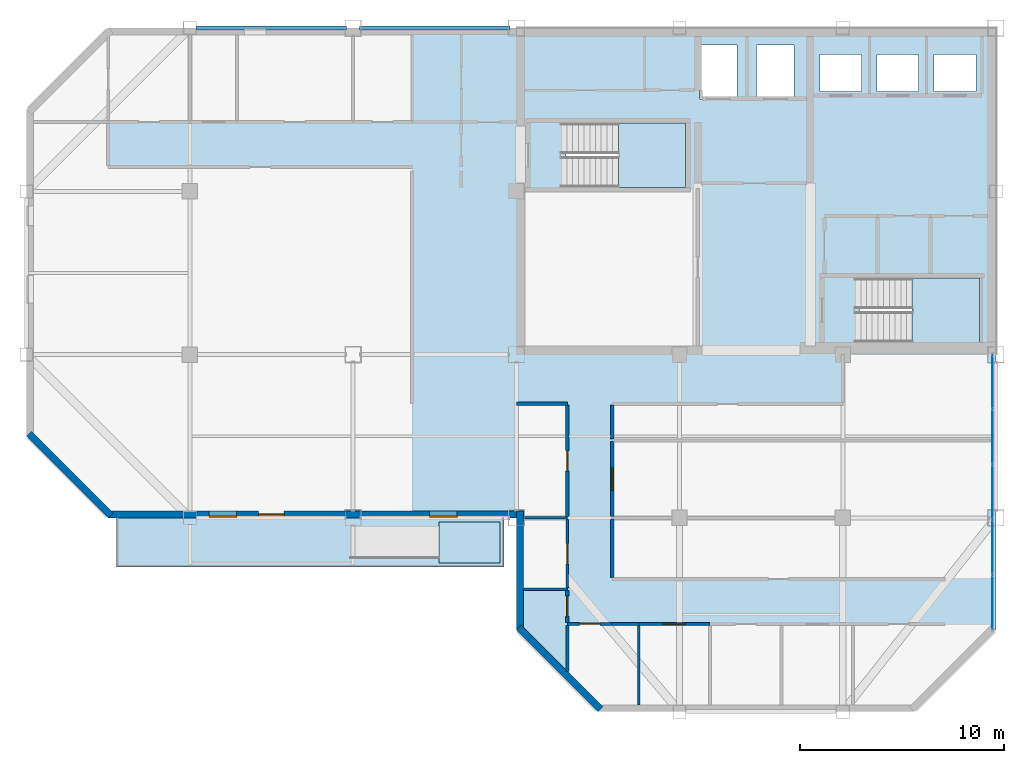
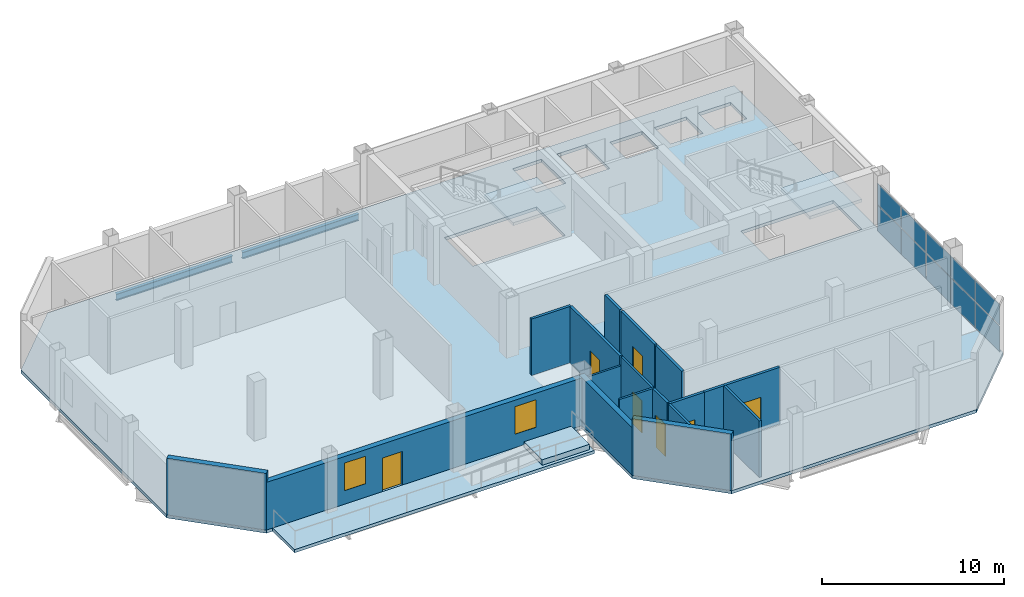
# One storey, part 7 of 13: 18 walls, 10 plates, 7 doors, 5 slabs, 2 beams, 2 windows, 9 openings, 4 elements without a shape of their own.
"""IFC4 building model written with IfcOpenShell, lengths in metres."""

import ifcopenshell
import ifcopenshell.guid

model = None  # the IFC model being written
_history = None  # IfcOwnerHistory: only IFC2X3 demands one
_inside = {}  # id of a spatial element -> (the spatial element, [elements in it])
_under = {}  # id of a project, library or spatial element -> (it, [spatial elements below it])
_declared = {}  # id of a project -> (the project, [libraries it declares])
_typed = {}  # id of a type object -> (the type object, [elements of that type])
_made_of = {}  # id of a material, layer set ... -> (it, [elements and type objects made of it])


def new_model(schema):
    """Start an empty IFC model of exactly this schema.

    Asked for "IFC4X3", IfcOpenShell would pick the latest addendum, in which some entities
    have other attributes; the version numbers below select the first issue.
    IFC2X3 requires an IfcOwnerHistory on every rooted entity: one is made here for all.
    """
    global model, _history
    if schema == "IFC4X3":
        model = ifcopenshell.file(schema_version=(4, 3, 0, 0))
    else:
        model = ifcopenshell.file(schema=schema)
    _inside.clear()
    _under.clear()
    _declared.clear()
    _typed.clear()
    _made_of.clear()
    _history = None
    if model.schema == "IFC2X3":
        org = make("IfcOrganization", Name="unknown")
        user = make(
            "IfcPersonAndOrganization",
            ThePerson=make("IfcPerson", FamilyName="unknown"),
            TheOrganization=org,
        )
        app = make(
            "IfcApplication",
            ApplicationDeveloper=org,
            Version="unknown",
            ApplicationFullName="unknown",
            ApplicationIdentifier="unknown",
        )
        _history = make(
            "IfcOwnerHistory",
            OwningUser=user,
            OwningApplication=app,
            ChangeAction="ADDED",
            CreationDate=0,
        )
    return model


def make(cls, **values):
    """One entity of the class cls with the attributes given. An attribute that is None is left unset."""
    return model.create_entity(
        cls, **{name: value for name, value in values.items() if value is not None}
    )


def rooted(cls, **values):
    """An entity with a GlobalId (a new one), such as an element, a storey or a relation."""
    return make(cls, GlobalId=ifcopenshell.guid.new(), OwnerHistory=_history, **values)


def si_unit(unit_type, name, prefix=None):
    """IfcSIUnit, for example si_unit("LENGTHUNIT", "METRE", prefix="MILLI")."""
    return make("IfcSIUnit", UnitType=unit_type, Prefix=prefix, Name=name)


def assignment(units):
    """IfcUnitAssignment: the units of a project."""
    return None if units is None else make("IfcUnitAssignment", Units=units)


def point(xyz):
    """IfcCartesianPoint."""
    return None if xyz is None else make("IfcCartesianPoint", Coordinates=xyz)


def direction(xyz):
    """IfcDirection."""
    return None if xyz is None else make("IfcDirection", DirectionRatios=xyz)


def frame(location, z_axis=None, x_axis=None):
    """IfcAxis2Placement3D, a coordinate frame: its origin and axes. An axis left out is left unset."""
    return make(
        "IfcAxis2Placement3D",
        Location=point(location),
        Axis=direction(z_axis),
        RefDirection=direction(x_axis),
    )


def frame_2d(location, x_axis=None):
    """IfcAxis2Placement2D, a coordinate frame in the plane: its origin and x axis."""
    return make(
        "IfcAxis2Placement2D", Location=point(location), RefDirection=direction(x_axis)
    )


def origin():
    """The frame at (0, 0, 0) with its axes left unset."""
    return frame((0.0, 0.0, 0.0))


def origin_2d():
    """The frame at (0, 0) in the plane with its x axis left unset."""
    return frame_2d((0.0, 0.0))


def place(relative_to, where):
    """IfcLocalPlacement: puts the frame where relative to a parent placement (None: the world)."""
    return make(
        "IfcLocalPlacement", PlacementRelTo=relative_to, RelativePlacement=where
    )


def context(
    kind, dimensions, precision=None, world=None, true_north=None, identifier=None
):
    """IfcGeometricRepresentationContext, for example the 3D "Model" context."""
    return make(
        "IfcGeometricRepresentationContext",
        ContextIdentifier=identifier,
        ContextType=kind,
        CoordinateSpaceDimension=dimensions,
        Precision=precision,
        WorldCoordinateSystem=world,
        TrueNorth=true_north,
    )


def subcontext(parent, identifier, kind, view, scale=None):
    """IfcGeometricRepresentationSubContext, for example "Body" below "Model"."""
    return make(
        "IfcGeometricRepresentationSubContext",
        ContextIdentifier=identifier,
        ContextType=kind,
        ParentContext=parent,
        TargetScale=scale,
        TargetView=view,
    )


def project(units=None, contexts=None):
    """IfcProject with its units and contexts."""
    return rooted(
        "IfcProject",
        Name="project",
        RepresentationContexts=contexts,
        UnitsInContext=assignment(units),
    )


def spatial(cls, under=None, at=None, **own):
    """A site, building, storey or space (cls), placed at a placement, below another one or the project."""
    s = rooted(cls, ObjectPlacement=at, **own)
    if under is not None:
        _under.setdefault(under.id(), (under, []))[1].append(s)
    return s


def polyline(points):
    """IfcPolyline through the points."""
    return make("IfcPolyline", Points=[point(p) for p in points])


def profile(cls, at=None, kind="AREA", **sizes):
    """A parametric profile (cls). Its sizes go by their IFC names, for example OverallWidth=200.0."""
    return make(cls, ProfileType=kind, Position=at, **sizes)


def rectangle(**sizes):
    """IfcRectangleProfileDef."""
    return profile("IfcRectangleProfileDef", **sizes)


def i_section(**sizes):
    """IfcIShapeProfileDef."""
    return profile("IfcIShapeProfileDef", **sizes)


def outline(outer, holes=None, kind="AREA"):
    """IfcArbitraryClosedProfileDef: a profile drawn as a closed curve; with holes, ...WithVoids."""
    if holes is None:
        return make("IfcArbitraryClosedProfileDef", ProfileType=kind, OuterCurve=outer)
    return make(
        "IfcArbitraryProfileDefWithVoids",
        ProfileType=kind,
        OuterCurve=outer,
        InnerCurves=holes,
    )


def extrude(swept, where, along, depth):
    """IfcExtrudedAreaSolid: the profile swept, set in the frame where, extruded along a direction by depth."""
    return make(
        "IfcExtrudedAreaSolid",
        SweptArea=swept,
        Position=where,
        ExtrudedDirection=direction(along),
        Depth=depth,
    )


def shape(context_of_items, identifier, shape_type, items):
    """IfcShapeRepresentation: the items that make up one representation, for example the "Body"."""
    return make(
        "IfcShapeRepresentation",
        ContextOfItems=context_of_items,
        RepresentationIdentifier=identifier,
        RepresentationType=shape_type,
        Items=items,
    )


def material(Name=None, Category=None):
    """IfcMaterial."""
    return make("IfcMaterial", Name=Name, Category=Category)


def layer(
    of_material, thickness, ventilated=None, Name=None, Category=None, Priority=None
):
    """IfcMaterialLayer: one layer of a wall or slab, of a material (None: an air gap)."""
    return make(
        "IfcMaterialLayer",
        Material=of_material,
        LayerThickness=thickness,
        IsVentilated=ventilated,
        Name=Name,
        Category=Category,
        Priority=Priority,
    )


def layer_set(layers, Name=None):
    """IfcMaterialLayerSet."""
    return make("IfcMaterialLayerSet", MaterialLayers=layers, LayerSetName=Name)


def material_profile(
    of_material, cross_section, Name=None, Category=None, Priority=None
):
    """IfcMaterialProfile: a cross section and its material."""
    return make(
        "IfcMaterialProfile",
        Name=Name,
        Material=of_material,
        Profile=cross_section,
        Priority=Priority,
        Category=Category,
    )


def profile_set(profiles, Name=None, composite=None):
    """IfcMaterialProfileSet."""
    return make(
        "IfcMaterialProfileSet",
        Name=Name,
        MaterialProfiles=profiles,
        CompositeProfile=composite,
    )


def made_of(thing, what):
    """Note that an element or type object is made of a material, layer set ...; save() writes the relation."""
    if what is not None:
        _made_of.setdefault(what.id(), (what, []))[1].append(thing)
    return thing


def type_object(cls, material=None, **own):
    """A type object (cls), such as IfcWallType, which elements share."""
    return made_of(rooted(cls, **own), material)


def element(
    cls,
    number,
    at=None,
    inside=None,
    cuts=None,
    type_object=None,
    material=None,
    context=None,
    identifier="Body",
    shape_type=None,
    held_by="IfcProductDefinitionShape",
    body=None,
    shapes=None,
    **own,
):
    """One element of the class cls, such as IfcWall. Its Tag is "e" and its number.

    at: its placement. inside: the storey or other place that contains it. cuts: it is an
    opening in that element (IfcRelVoidsElement). A single representation is given by context,
    identifier, shape_type and body (its items); several are given by shapes. held_by: the class
    of the entity that holds the representations. save() writes the other relations.
    """
    e = rooted(cls, Tag="e%d" % number, ObjectPlacement=at, **own)
    if body is not None:
        shapes = [shape(context, identifier, shape_type, body)]
    if shapes is not None:
        e.Representation = make(held_by, Representations=shapes)
    if inside is not None:
        _inside.setdefault(inside.id(), (inside, []))[1].append(e)
    if cuts is not None:
        rooted(
            "IfcRelVoidsElement", RelatingBuildingElement=cuts, RelatedOpeningElement=e
        )
    if type_object is not None:
        _typed.setdefault(type_object.id(), (type_object, []))[1].append(e)
    return made_of(e, material)


def fill(opening, filler):
    """IfcRelFillsElement: the door or window that sits in an opening."""
    return rooted(
        "IfcRelFillsElement",
        RelatingOpeningElement=opening,
        RelatedBuildingElement=filler,
    )


def aggregate(whole, parts):
    """IfcRelAggregates: a whole, such as a stair, and the parts it consists of."""
    return rooted("IfcRelAggregates", RelatingObject=whole, RelatedObjects=parts)


def save(model, path):
    """Write the relations noted so far, then the file.

    IfcRelAggregates (storeys below a building ...), IfcRelContainedInSpatialStructure (elements
    in a storey), IfcRelDefinesByType, IfcRelAssociatesMaterial and IfcRelDeclares: one each for
    every whole, place, type object, material and project.
    """
    for whole, parts in _under.values():
        aggregate(whole, parts)
    for where, things in _inside.values():
        rooted(
            "IfcRelContainedInSpatialStructure",
            RelatedElements=things,
            RelatingStructure=where,
        )
    for kind, things in _typed.values():
        rooted("IfcRelDefinesByType", RelatedObjects=things, RelatingType=kind)
    for what, things in _made_of.values():
        rooted("IfcRelAssociatesMaterial", RelatedObjects=things, RelatingMaterial=what)
    for by, libraries in _declared.values():
        rooted("IfcRelDeclares", RelatingContext=by, RelatedDefinitions=libraries)
    model.write(path)


model = new_model("IFC4")

# Units and contexts
model_context = context("Model", 3, precision=1e-05, world=origin(), true_north=direction((0.0, 1.0)))
body_context = subcontext(model_context, "Body", "Model", "MODEL_VIEW")
ifc_project = project(units=[si_unit("LENGTHUNIT", "METRE"), si_unit("AREAUNIT", "SQUARE_METRE"), si_unit("VOLUMEUNIT", "CUBIC_METRE"), si_unit("PLANEANGLEUNIT", "RADIAN"), si_unit("MASSUNIT", "GRAM", prefix="KILO")], contexts=[model_context])

# Site, building, storey
site_placement = place(None, origin())
site = spatial("IfcSite", under=ifc_project, at=site_placement, CompositionType="ELEMENT")
building_placement = place(site_placement, origin())
building = spatial("IfcBuilding", under=site, at=building_placement, Name="Qianrong Seaharbour Tower", CompositionType="ELEMENT")
storey_placement = place(building_placement, frame((0.0, 0.0, 291.199951171875)))
storey = spatial("IfcBuildingStorey", under=building, at=storey_placement, Name="L70", CompositionType="ELEMENT", Elevation=291.199951171875)

# Beams
ifc_material_1 = material(Name="Structural steel SN400B", Category="steel")
ifc_material_profile = material_profile(ifc_material_1, i_section(OverallWidth=0.199951171875, OverallDepth=0.449951171875, WebThickness=0.009033203125, FlangeThickness=0.013916015625, FilletRadius=0.01806640625, at=origin_2d()), Name="H450x200x9x14")
ifc_profile_set = profile_set([ifc_material_profile], Name="Structural steel SN400B")
beam_type = type_object("IfcBeamType", Name="BM-SP-450", PredefinedType="SPANDREL", material=ifc_profile_set)
for number, where, z_axis, x_axis, name in (
    (1, (24.820068359375, 52.0, -0.43994140625), (1.0, 0.0, 0.0), (0.0, 1.0, 0.0), "L70 Spandrel Girder GH G4-G5"),
    (2, (32.820068359375, 52.0, -0.43994140625), (1.0, 0.0, 0.0), (0.0, 1.0, 0.0), "L70 Spandrel Girder GH G5-G6"),
):
    element("IfcBeam", number, at=place(storey_placement, frame(where, z_axis=z_axis, x_axis=x_axis)), inside=storey, type_object=beam_type, Name=name, PredefinedType="SPANDREL", context=body_context, shape_type="SweptSolid", body=[
        extrude(i_section(OverallWidth=0.199951171875, OverallDepth=0.449951171875, WebThickness=0.009033203125, FlangeThickness=0.013916015625, FilletRadius=0.01806640625, at=origin_2d()), origin(), (0.0, 0.0, 1.0), 7.35986328125),
    ])

# Curtain wall, plates
ifc_material_2 = material(Name="Anodised aluminium 6063-T6 and laminated low-e glass", Category="aluminium")
ifc_layer_1 = layer(ifc_material_2, 0.195068359375)
ifc_layer_set_1 = layer_set([ifc_layer_1], Name="Anodised aluminium 6063-T6 and laminated low-e glass")
curtain_wall_type = type_object("IfcCurtainWallType", Name="CW-SYS-3", PredefinedType="NOTDEFINED", material=ifc_layer_set_1)
curtain_wall_placement = place(storey_placement, origin())
curtain_wall = element("IfcCurtainWall", 3, at=curtain_wall_placement, inside=storey, type_object=curtain_wall_type, Name="L70 Sky-Garden Wintergarden Curtain Wall EAST_WING", PredefinedType="NOTDEFINED")
ifc_material_3 = material(Name="Laminated solar-control low-e glass", Category="glass")
ifc_layer_2 = layer(ifc_material_3, 0.031982421875)
ifc_layer_set_2 = layer_set([ifc_layer_2], Name="Laminated solar-control low-e glass")
plate_type = type_object("IfcPlateType", Name="CW-PAN-VISION-32", PredefinedType="CURTAIN_PANEL", material=ifc_layer_set_2)
plate_1_placement = place(storey_placement, frame((63.830078125, 34.677490234375, 0.06494140625), z_axis=(0.0, 0.0, 1.0), x_axis=(0.0, -1.0, 0.0)))
plate_1 = element("IfcPlate", 4, at=plate_1_placement, type_object=plate_type, Name="CW-3 panel 1.1", PredefinedType="CURTAIN_PANEL", context=body_context, shape_type="SweptSolid", body=[
    extrude(rectangle(XDim=2.60498046875, YDim=0.031982421875, at=origin_2d()), origin(), (0.0, 0.0, 1.0), 1.714599609375),
])
plate_2_placement = place(storey_placement, frame((63.830078125, 34.677490234375, 1.8447265625), z_axis=(0.0, 0.0, 1.0), x_axis=(0.0, -1.0, 0.0)))
plate_2 = element("IfcPlate", 5, at=plate_2_placement, type_object=plate_type, Name="CW-3 panel 1.2", PredefinedType="CURTAIN_PANEL", context=body_context, shape_type="SweptSolid", body=[
    extrude(rectangle(XDim=2.60498046875, YDim=0.031982421875, at=origin_2d()), origin(), (0.0, 0.0, 1.0), 1.38525390625),
])
plate_3_placement = place(storey_placement, frame((63.830078125, 31.985107421875, 0.06494140625), z_axis=(0.0, 0.0, 1.0), x_axis=(0.0, -1.0, 0.0)))
plate_3 = element("IfcPlate", 6, at=plate_3_placement, type_object=plate_type, Name="CW-3 panel 2.1", PredefinedType="CURTAIN_PANEL", context=body_context, shape_type="SweptSolid", body=[
    extrude(rectangle(XDim=2.639892578125, YDim=0.031982421875, at=origin_2d()), origin(), (0.0, 0.0, 1.0), 1.714599609375),
])
plate_4_placement = place(storey_placement, frame((63.830078125, 31.985107421875, 1.8447265625), z_axis=(0.0, 0.0, 1.0), x_axis=(0.0, -1.0, 0.0)))
plate_4 = element("IfcPlate", 7, at=plate_4_placement, type_object=plate_type, Name="CW-3 panel 2.2", PredefinedType="CURTAIN_PANEL", context=body_context, shape_type="SweptSolid", body=[
    extrude(rectangle(XDim=2.639892578125, YDim=0.031982421875, at=origin_2d()), origin(), (0.0, 0.0, 1.0), 1.38525390625),
])
plate_5_placement = place(storey_placement, frame((63.830078125, 29.27490234375, 0.06494140625), z_axis=(0.0, 0.0, 1.0), x_axis=(0.0, -1.0, 0.0)))
plate_5 = element("IfcPlate", 8, at=plate_5_placement, type_object=plate_type, Name="CW-3 panel 3.1", PredefinedType="CURTAIN_PANEL", context=body_context, shape_type="SweptSolid", body=[
    extrude(rectangle(XDim=2.639892578125, YDim=0.031982421875, at=origin_2d()), origin(), (0.0, 0.0, 1.0), 1.714599609375),
])
plate_6_placement = place(storey_placement, frame((63.830078125, 29.27490234375, 1.8447265625), z_axis=(0.0, 0.0, 1.0), x_axis=(0.0, -1.0, 0.0)))
plate_6 = element("IfcPlate", 9, at=plate_6_placement, type_object=plate_type, Name="CW-3 panel 3.2", PredefinedType="CURTAIN_PANEL", context=body_context, shape_type="SweptSolid", body=[
    extrude(rectangle(XDim=2.639892578125, YDim=0.031982421875, at=origin_2d()), origin(), (0.0, 0.0, 1.0), 1.38525390625),
])
plate_7_placement = place(storey_placement, frame((63.830078125, 26.56494140625, 0.06494140625), z_axis=(0.0, 0.0, 1.0), x_axis=(0.0, -1.0, 0.0)))
plate_7 = element("IfcPlate", 10, at=plate_7_placement, type_object=plate_type, Name="CW-3 panel 4.1", PredefinedType="CURTAIN_PANEL", context=body_context, shape_type="SweptSolid", body=[
    extrude(rectangle(XDim=2.639892578125, YDim=0.031982421875, at=origin_2d()), origin(), (0.0, 0.0, 1.0), 1.714599609375),
])
plate_8_placement = place(storey_placement, frame((63.830078125, 26.56494140625, 1.8447265625), z_axis=(0.0, 0.0, 1.0), x_axis=(0.0, -1.0, 0.0)))
plate_8 = element("IfcPlate", 11, at=plate_8_placement, type_object=plate_type, Name="CW-3 panel 4.2", PredefinedType="CURTAIN_PANEL", context=body_context, shape_type="SweptSolid", body=[
    extrude(rectangle(XDim=2.639892578125, YDim=0.031982421875, at=origin_2d()), origin(), (0.0, 0.0, 1.0), 1.38525390625),
])
plate_9_placement = place(storey_placement, frame((63.830078125, 23.87255859375, 0.06494140625), z_axis=(0.0, 0.0, 1.0), x_axis=(0.0, -1.0, 0.0)))
plate_9 = element("IfcPlate", 12, at=plate_9_placement, type_object=plate_type, Name="CW-3 panel 5.1", PredefinedType="CURTAIN_PANEL", context=body_context, shape_type="SweptSolid", body=[
    extrude(rectangle(XDim=2.60498046875, YDim=0.031982421875, at=origin_2d()), origin(), (0.0, 0.0, 1.0), 1.714599609375),
])
plate_10_placement = place(storey_placement, frame((63.830078125, 23.87255859375, 1.8447265625), z_axis=(0.0, 0.0, 1.0), x_axis=(0.0, -1.0, 0.0)))
plate_10 = element("IfcPlate", 13, at=plate_10_placement, type_object=plate_type, Name="CW-3 panel 5.2", PredefinedType="CURTAIN_PANEL", context=body_context, shape_type="SweptSolid", body=[
    extrude(rectangle(XDim=2.60498046875, YDim=0.031982421875, at=origin_2d()), origin(), (0.0, 0.0, 1.0), 1.38525390625),
])
aggregate(curtain_wall, [plate_1, plate_2, plate_3, plate_4, plate_5, plate_6, plate_7, plate_8, plate_9, plate_10])

# Ramp, slab
ifc_material_4 = material(Name="White architectural precast concrete C45/55", Category="concrete")
ramp_type = type_object("IfcRampType", Name="RAMP-RIBBON-GARDEN", PredefinedType="STRAIGHT_RUN_RAMP", material=ifc_material_4)
ramp_placement = place(storey_placement, origin())
ramp = element("IfcRamp", 14, at=ramp_placement, inside=storey, type_object=ramp_type, Name="L70 Harbourfront Garden Ribbon Ramp", PredefinedType="STRAIGHT_RUN_RAMP")
ifc_layer_3 = layer(ifc_material_4, 0.360107421875)
ifc_layer_set_3 = layer_set([ifc_layer_3], Name="White architectural precast concrete C45/55")
slab_type_1 = type_object("IfcSlabType", Name="SLAB-RAMP-LANDING-220", PredefinedType="LANDING", material=ifc_layer_set_3)
slab_1_placement = place(storey_placement, origin())
slab_1 = element("IfcSlab", 15, at=slab_1_placement, type_object=slab_type_1, Name="L70 Harbourfront Ribbon Raised Garden Landing", PredefinedType="LANDING", context=body_context, shape_type="SweptSolid", body=[
    extrude(outline(polyline([(36.699951171875, 25.800048828125), (39.699951171875, 25.800048828125), (39.699951171875, 27.800048828125), (36.699951171875, 27.800048828125), (36.699951171875, 25.800048828125)])), origin(), (0.0, 0.0, 1.0), 0.360107421875),
])
aggregate(ramp, [slab_1])

# Slab
ifc_layer_4 = layer(ifc_material_4, 0.215087890625)
ifc_layer_set_4 = layer_set([ifc_layer_4], Name="White architectural precast concrete C45/55")
slab_type_2 = type_object("IfcSlabType", Name="SLAB-RIBBON-215", PredefinedType="FLOOR", material=ifc_layer_set_4)
slab_2_placement = place(storey_placement, frame((0.0, 0.0, -0.21484375)))
element("IfcSlab", 16, at=slab_2_placement, inside=storey, type_object=slab_type_2, Name="L70 Harbourfront White Precast Ribbon Gallery Slab", PredefinedType="FLOOR", context=body_context, shape_type="SweptSolid", body=[
    extrude(outline(polyline([(20.89990234375, 25.60009765625), (39.89990234375, 25.60009765625), (39.89990234375, 28.0), (20.89990234375, 28.0), (20.89990234375, 25.60009765625)])), origin(), (0.0, 0.0, 1.0), 0.21484375),
])

# Stair, slab
ifc_material_5 = material(Name="Concrete C50/60", Category="concrete")
stair_type = type_object("IfcStairType", Name="STAIR-DOGLEG-1500-R22", PredefinedType="HALF_TURN_STAIR", material=ifc_material_5)
stair_1_placement = place(storey_placement, origin())
stair_1 = element("IfcStair", 17, at=stair_1_placement, inside=storey, type_object=stair_type, Name="L70 Protected Escape Stair ST-1", PredefinedType="HALF_TURN_STAIR")
ifc_layer_5 = layer(ifc_material_5, 0.199951171875)
ifc_layer_set_5 = layer_set([ifc_layer_5], Name="Concrete C50/60")
slab_type_3 = type_object("IfcSlabType", Name="SLAB-STAIR-LANDING-200", PredefinedType="LANDING", material=ifc_layer_set_5)
slab_3_placement = place(storey_placement, frame((0.0, 0.0, 1.800048828125)))
slab_3 = element("IfcSlab", 18, at=slab_3_placement, type_object=slab_type_3, Name="ST-1 landing 1", PredefinedType="LANDING", context=body_context, shape_type="SweptSolid", body=[
    extrude(outline(polyline([(45.5, 44.199951171875), (48.800048828125, 44.199951171875), (48.800048828125, 47.35009765625), (45.5, 47.35009765625), (45.5, 44.199951171875)])), origin(), (0.0, 0.0, 1.0), 0.199951171875),
])
aggregate(stair_1, [slab_3])

stair_2_placement = place(storey_placement, origin())
stair_2 = element("IfcStair", 19, at=stair_2_placement, inside=storey, type_object=stair_type, Name="L70 Protected Escape Stair ST-2", PredefinedType="HALF_TURN_STAIR")
slab_4_placement = place(storey_placement, frame((0.0, 0.0, 1.800048828125)))
slab_4 = element("IfcSlab", 20, at=slab_4_placement, type_object=slab_type_3, Name="ST-2 landing 1", PredefinedType="LANDING", context=body_context, shape_type="SweptSolid", body=[
    extrude(outline(polyline([(59.89990234375, 36.60009765625), (63.199951171875, 36.60009765625), (63.199951171875, 39.75), (59.89990234375, 39.75), (59.89990234375, 36.60009765625)])), origin(), (0.0, 0.0, 1.0), 0.199951171875),
])
aggregate(stair_2, [slab_4])

# Slab
ifc_layer_6 = layer(ifc_material_5, 0.215087890625)
ifc_layer_set_6 = layer_set([ifc_layer_6], Name="Concrete C50/60")
slab_type_4 = type_object("IfcSlabType", Name="SLAB-Z4-215", PredefinedType="FLOOR", material=ifc_layer_set_6)
slab_5_placement = place(storey_placement, frame((0.0, 0.0, -0.21484375)))
element("IfcSlab", 21, at=slab_5_placement, inside=storey, type_object=slab_type_4, Name="L70 Structural Floor Slab", PredefinedType="FLOOR", context=body_context, shape_type="SweptSolid", body=[
    extrude(outline(polyline([(44.5, 18.5), (60.0, 18.5), (64.0, 22.5), (64.0, 52.0), (20.5, 52.0), (16.5, 48.0), (16.5, 32.0), (20.5, 28.0), (40.5, 28.0), (40.5, 22.5), (44.5, 18.5)]), holes=[polyline([(42.93994140625, 44.199951171875), (42.93994140625, 47.35009765625), (48.800048828125, 47.35009765625), (48.800048828125, 44.199951171875), (42.93994140625, 44.199951171875)]), polyline([(57.340087890625, 36.60009765625), (57.340087890625, 39.75), (63.199951171875, 39.75), (63.199951171875, 36.60009765625), (57.340087890625, 36.60009765625)]), polyline([(49.47998046875, 48.530029296875), (49.47998046875, 51.169921875), (51.320068359375, 51.169921875), (51.320068359375, 48.530029296875), (49.47998046875, 48.530029296875)]), polyline([(52.280029296875, 48.530029296875), (52.280029296875, 51.169921875), (54.1201171875, 51.169921875), (54.1201171875, 48.530029296875), (52.280029296875, 48.530029296875)]), polyline([(55.3798828125, 48.89990234375), (55.3798828125, 50.699951171875), (57.419921875, 50.699951171875), (57.419921875, 48.89990234375), (55.3798828125, 48.89990234375)]), polyline([(58.179931640625, 48.89990234375), (58.179931640625, 50.699951171875), (60.219970703125, 50.699951171875), (60.219970703125, 48.89990234375), (58.179931640625, 48.89990234375)]), polyline([(60.97998046875, 48.89990234375), (60.97998046875, 50.699951171875), (63.02001953125, 50.699951171875), (63.02001953125, 48.89990234375), (60.97998046875, 48.89990234375)])]), origin(), (0.0, 0.0, 1.0), 0.21484375),
])

# Walls
ifc_material_6 = material(Name="Fire-rated acoustic gypsum board partition")
ifc_layer_7 = layer(ifc_material_6, 0.1650390625)
ifc_layer_set_7 = layer_set([ifc_layer_7], Name="Fire-rated acoustic gypsum board partition")
wall_type_1 = type_object("IfcWallType", Name="WALL-CORR-PART-165", PredefinedType="PARTITIONING", material=ifc_layer_set_7)
wall_1_placement = place(storey_placement, frame((43.0, 33.60009765625, 0.0), z_axis=(0.0, 0.0, 1.0), x_axis=(-1.0, 0.0, 0.0)))
element("IfcWall", 22, at=wall_1_placement, inside=storey, type_object=wall_type_1, Name="L70 Interior Partition Wall 027", PredefinedType="PARTITIONING", context=body_context, shape_type="SweptSolid", body=[
    extrude(rectangle(XDim=2.5, YDim=0.1650390625, at=frame_2d((1.25, 0.0))), origin(), (0.0, 0.0, 1.0), 3.78515625),
])
wall_2_placement = place(storey_placement, frame((45.199951171875, 27.935546875, 0.0), z_axis=(0.0, 0.0, 1.0), x_axis=(0.0, -1.0, 0.0)))
element("IfcWall", 23, at=wall_2_placement, inside=storey, type_object=wall_type_1, Name="L70 Interior Partition Wall 028", PredefinedType="PARTITIONING", context=body_context, shape_type="SweptSolid", body=[
    extrude(rectangle(XDim=2.861083984375, YDim=0.1650390625, at=frame_2d((1.4306640625, 0.0))), origin(), (0.0, 0.0, 1.0), 3.78515625),
])

# Wall, opening, door
wall_3_placement = place(storey_placement, frame((45.199951171875, 31.735595703125, 0.0), z_axis=(0.0, 0.0, 1.0), x_axis=(0.0, -1.0, 0.0)))
wall_3 = element("IfcWall", 24, at=wall_3_placement, inside=storey, type_object=wall_type_1, Name="L70 Interior Partition Wall 029", PredefinedType="PARTITIONING", context=body_context, shape_type="SweptSolid", body=[
    extrude(rectangle(XDim=3.671142578125, YDim=0.1650390625, at=frame_2d((1.83544921875, 0.0))), origin(), (0.0, 0.0, 1.0), 3.78515625),
])
opening_1_placement = place(wall_3_placement, frame((1.285400390625, 0.0, 0.0)))
opening_1 = element("IfcOpeningElement", 25, at=opening_1_placement, cuts=wall_3, Name="Opening DM-01", PredefinedType="OPENING", context=body_context, shape_type="SweptSolid", body=[
    extrude(rectangle(XDim=1.10009765625, YDim=2.199951171875, at=frame_2d((0.550048828125, 1.10009765625))), frame((0.0, 0.092529296875, 0.0), z_axis=(0.0, -1.0, 0.0), x_axis=(1.0, 0.0, 0.0)), (0.0, 0.0, 1.0), 0.18505859375),
])
ifc_material_7 = material(Name="Acoustic timber and galvanized steel fire door assembly", Category="steel")
door_type_1 = type_object("IfcDoorType", Name="DOOR-MEET-1100x2200", OperationType="NOTDEFINED", PredefinedType="DOOR", material=ifc_material_7)
door_1_placement = place(opening_1_placement, origin())
door_1 = element("IfcDoor", 26, at=door_1_placement, inside=storey, type_object=door_type_1, Name="L70 Boardroom 2 Door", OperationType="SINGLE_SWING_RIGHT", OverallHeight=2.199951171875, OverallWidth=1.10009765625, PredefinedType="DOOR", context=body_context, shape_type="SweptSolid", body=[
    extrude(rectangle(XDim=1.10009765625, YDim=2.199951171875, at=frame_2d((0.550048828125, 1.10009765625))), frame((0.0, 0.02490234375, 0.0), z_axis=(0.0, -1.0, 0.0), x_axis=(1.0, 0.0, 0.0)), (0.0, 0.0, 1.0), 0.050048828125),
])
fill(opening_1, door_1)

# Wall
wall_4_placement = place(storey_placement, frame((45.199951171875, 33.525390625, 0.0), z_axis=(0.0, 0.0, 1.0), x_axis=(0.0, -1.0, 0.0)))
element("IfcWall", 27, at=wall_4_placement, inside=storey, type_object=wall_type_1, Name="L70 Interior Partition Wall 030", PredefinedType="PARTITIONING", context=body_context, shape_type="SweptSolid", body=[
    extrude(rectangle(XDim=1.660888671875, YDim=0.1650390625, at=frame_2d((0.83056640625, 0.0))), origin(), (0.0, 0.0, 1.0), 3.78515625),
])

# Wall, opening, door
wall_5_placement = place(storey_placement, frame((43.0, 22.87451171875, 0.0), z_axis=(0.0, 0.0, 1.0), x_axis=(0.0, 1.0, 0.0)))
wall_5 = element("IfcWall", 28, at=wall_5_placement, inside=storey, type_object=wall_type_1, Name="L70 Interior Partition Wall 031", PredefinedType="PARTITIONING", context=body_context, shape_type="SweptSolid", body=[
    extrude(rectangle(XDim=1.568603515625, YDim=0.1650390625, at=frame_2d((0.7841796875, 0.0))), origin(), (0.0, 0.0, 1.0), 3.78515625),
])
opening_2_placement = place(wall_5_placement, frame((0.2841796875, 0.0, 0.0)))
opening_2 = element("IfcOpeningElement", 29, at=opening_2_placement, cuts=wall_5, Name="Opening DO-01", PredefinedType="OPENING", context=body_context, shape_type="SweptSolid", body=[
    extrude(rectangle(XDim=1.0, YDim=2.14990234375, at=frame_2d((0.5, 1.074951171875))), frame((0.0, 0.092529296875, 0.0), z_axis=(0.0, -1.0, 0.0), x_axis=(1.0, 0.0, 0.0)), (0.0, 0.0, 1.0), 0.18505859375),
])
door_type_2 = type_object("IfcDoorType", Name="DOOR-OFFICE-1000x2150", OperationType="NOTDEFINED", PredefinedType="DOOR", material=ifc_material_7)
door_2_placement = place(opening_2_placement, origin())
door_2 = element("IfcDoor", 30, at=door_2_placement, inside=storey, type_object=door_type_2, Name="L70 Executive Office 1 Door", OperationType="SINGLE_SWING_RIGHT", OverallHeight=2.14990234375, OverallWidth=1.0, PredefinedType="DOOR", context=body_context, shape_type="SweptSolid", body=[
    extrude(rectangle(XDim=1.0, YDim=2.14990234375, at=frame_2d((0.5, 1.074951171875))), frame((0.0, 0.02490234375, 0.0), z_axis=(0.0, -1.0, 0.0), x_axis=(1.0, 0.0, 0.0)), (0.0, 0.0, 1.0), 0.050048828125),
])
fill(opening_2, door_2)

wall_6_placement = place(storey_placement, frame((43.0, 28.056884765625, 0.0), z_axis=(0.0, 0.0, 1.0), x_axis=(0.0, 1.0, 0.0)))
wall_6 = element("IfcWall", 31, at=wall_6_placement, inside=storey, type_object=wall_type_1, Name="L70 Interior Partition Wall 033", PredefinedType="PARTITIONING", context=body_context, shape_type="SweptSolid", body=[
    extrude(rectangle(XDim=5.468505859375, YDim=0.1650390625, at=frame_2d((2.734375, 0.0))), origin(), (0.0, 0.0, 1.0), 3.78515625),
])
opening_3_placement = place(wall_6_placement, frame((2.234130859375, 0.0, 0.0)))
opening_3 = element("IfcOpeningElement", 32, at=opening_3_placement, cuts=wall_6, Name="Opening DO-01", PredefinedType="OPENING", context=body_context, shape_type="SweptSolid", body=[
    extrude(rectangle(XDim=1.0, YDim=2.14990234375, at=frame_2d((0.5, 1.074951171875))), frame((0.0, 0.092529296875, 0.0), z_axis=(0.0, -1.0, 0.0), x_axis=(1.0, 0.0, 0.0)), (0.0, 0.0, 1.0), 0.18505859375),
])
door_3_placement = place(opening_3_placement, origin())
door_3 = element("IfcDoor", 33, at=door_3_placement, inside=storey, type_object=door_type_2, Name="L70 Focus Room 3 Door", OperationType="SINGLE_SWING_RIGHT", OverallHeight=2.14990234375, OverallWidth=1.0, PredefinedType="DOOR", context=body_context, shape_type="SweptSolid", body=[
    extrude(rectangle(XDim=1.0, YDim=2.14990234375, at=frame_2d((0.5, 1.074951171875))), frame((0.0, 0.02490234375, 0.0), z_axis=(0.0, -1.0, 0.0), x_axis=(1.0, 0.0, 0.0)), (0.0, 0.0, 1.0), 0.050048828125),
])
fill(opening_3, door_3)

wall_7_placement = place(storey_placement, frame((45.199951171875, 22.800048828125, 0.0), z_axis=(0.0, 0.0, 1.0), x_axis=(-1.0, 0.0, 0.0)))
wall_7 = element("IfcWall", 34, at=wall_7_placement, inside=storey, type_object=wall_type_1, Name="L70 Interior Partition Wall 034", PredefinedType="PARTITIONING", context=body_context, shape_type="SweptSolid", body=[
    extrude(rectangle(XDim=2.199951171875, YDim=0.1650390625, at=frame_2d((1.10009765625, 0.0))), origin(), (0.0, 0.0, 1.0), 3.78515625),
])
opening_4_placement = place(wall_7_placement, frame((0.60009765625, 0.0, 0.0)))
opening_4 = element("IfcOpeningElement", 35, at=opening_4_placement, cuts=wall_7, Name="Opening DO-01", PredefinedType="OPENING", context=body_context, shape_type="SweptSolid", body=[
    extrude(rectangle(XDim=1.0, YDim=2.14990234375, at=frame_2d((0.5, 1.074951171875))), frame((0.0, 0.092529296875, 0.0), z_axis=(0.0, -1.0, 0.0), x_axis=(1.0, 0.0, 0.0)), (0.0, 0.0, 1.0), 0.18505859375),
])
door_4_placement = place(opening_4_placement, origin())
door_4 = element("IfcDoor", 36, at=door_4_placement, inside=storey, type_object=door_type_2, Name="L70 Executive Office 1 Door", OperationType="SINGLE_SWING_LEFT", OverallHeight=2.14990234375, OverallWidth=1.0, PredefinedType="DOOR", context=body_context, shape_type="SweptSolid", body=[
    extrude(rectangle(XDim=1.0, YDim=2.14990234375, at=frame_2d((0.5, 1.074951171875))), frame((0.0, 0.02490234375, 0.0), z_axis=(0.0, -1.0, 0.0), x_axis=(1.0, 0.0, 0.0)), (0.0, 0.0, 1.0), 0.050048828125),
])
fill(opening_4, door_4)

# Wall
wall_8_placement = place(storey_placement, frame((46.5, 22.800048828125, 0.0), z_axis=(0.0, 0.0, 1.0), x_axis=(-1.0, 0.0, 0.0)))
element("IfcWall", 37, at=wall_8_placement, inside=storey, type_object=wall_type_1, Name="L70 Interior Partition Wall 036", PredefinedType="PARTITIONING", context=body_context, shape_type="SweptSolid", body=[
    extrude(rectangle(XDim=1.300048828125, YDim=0.1650390625, at=frame_2d((0.64990234375, 0.0))), origin(), (0.0, 0.0, 1.0), 3.78515625),
])

# Wall, opening, door
wall_9_placement = place(storey_placement, frame((50.0, 22.800048828125, 0.0), z_axis=(0.0, 0.0, 1.0), x_axis=(-1.0, 0.0, 0.0)))
wall_9 = element("IfcWall", 38, at=wall_9_placement, inside=storey, type_object=wall_type_1, Name="L70 Interior Partition Wall 037", PredefinedType="PARTITIONING", context=body_context, shape_type="SweptSolid", body=[
    extrude(rectangle(XDim=3.5, YDim=0.1650390625, at=frame_2d((1.75, 0.0))), origin(), (0.0, 0.0, 1.0), 3.78515625),
])
opening_5_placement = place(wall_9_placement, frame((1.199951171875, 0.0, 0.0)))
opening_5 = element("IfcOpeningElement", 39, at=opening_5_placement, cuts=wall_9, Name="Opening DM-01", PredefinedType="OPENING", context=body_context, shape_type="SweptSolid", body=[
    extrude(rectangle(XDim=1.10009765625, YDim=2.199951171875, at=frame_2d((0.550048828125, 1.10009765625))), frame((0.0, 0.092529296875, 0.0), z_axis=(0.0, -1.0, 0.0), x_axis=(1.0, 0.0, 0.0)), (0.0, 0.0, 1.0), 0.18505859375),
])
door_5_placement = place(opening_5_placement, origin())
door_5 = element("IfcDoor", 40, at=door_5_placement, inside=storey, type_object=door_type_1, Name="L70 Meeting Room 2 Door", OperationType="SINGLE_SWING_RIGHT", OverallHeight=2.199951171875, OverallWidth=1.10009765625, PredefinedType="DOOR", context=body_context, shape_type="SweptSolid", body=[
    extrude(rectangle(XDim=1.10009765625, YDim=2.199951171875, at=frame_2d((0.550048828125, 1.10009765625))), frame((0.0, 0.02490234375, 0.0), z_axis=(0.0, -1.0, 0.0), x_axis=(1.0, 0.0, 0.0)), (0.0, 0.0, 1.0), 0.050048828125),
])
fill(opening_5, door_5)

# Wall
ifc_material_8 = material(Name="Unitised buff brick on Precast concrete C45/55", Category="masonry")
ifc_layer_8 = layer(ifc_material_8, 0.340087890625)
ifc_layer_set_8 = layer_set([ifc_layer_8], Name="Unitised buff brick on Precast concrete C45/55")
wall_type_2 = type_object("IfcWallType", Name="WALL-EXT-BRICK-BUFF-340", PredefinedType="SOLIDWALL", material=ifc_layer_set_8)
wall_10_placement = place(storey_placement, frame((40.669921875, 22.5, 0.0), z_axis=(0.0, 0.0, 1.0), x_axis=(0.0, 1.0, 0.0)))
element("IfcWall", 41, at=wall_10_placement, inside=storey, type_object=wall_type_2, Name="L70 Exterior Masonry Facade Wall REENTRANT_WEST", PredefinedType="SOLIDWALL", context=body_context, shape_type="SweptSolid", body=[
    extrude(rectangle(XDim=5.840087890625, YDim=0.340087890625, at=frame_2d((2.919921875, 0.0))), origin(), (0.0, 0.0, 1.0), 3.18505859375),
])

# Wall, openings, door, windows
wall_11_placement = place(storey_placement, frame((40.52001953125, 28.169921875, 0.0), z_axis=(0.0, 0.0, 1.0), x_axis=(-1.0, 0.0, 0.0)))
wall_11 = element("IfcWall", 42, at=wall_11_placement, inside=storey, type_object=wall_type_2, Name="L70 Exterior Masonry Facade Wall HARBOUR_RIBBON", PredefinedType="SOLIDWALL", context=body_context, shape_type="SweptSolid", body=[
    extrude(rectangle(XDim=20.02001953125, YDim=0.340087890625, at=frame_2d((10.010009765625, 0.0))), origin(), (0.0, 0.0, 1.0), 3.18505859375),
])
opening_6_placement = place(wall_11_placement, frame((2.925048828125, 0.0, 0.89990234375)))
opening_6 = element("IfcOpeningElement", 43, at=opening_6_placement, cuts=wall_11, Name="Opening WN-02", PredefinedType="OPENING", context=body_context, shape_type="SweptSolid", body=[
    extrude(rectangle(XDim=1.35009765625, YDim=1.85009765625, at=frame_2d((0.675048828125, 0.925048828125))), frame((0.0, 0.18017578125, 0.0), z_axis=(0.0, -1.0, 0.0), x_axis=(1.0, 0.0, 0.0)), (0.0, 0.0, 1.0), 0.360107421875),
])
opening_7_placement = place(wall_11_placement, frame((13.72509765625, 0.0, 0.89990234375)))
opening_7 = element("IfcOpeningElement", 44, at=opening_7_placement, cuts=wall_11, Name="Opening WN-02", PredefinedType="OPENING", context=body_context, shape_type="SweptSolid", body=[
    extrude(rectangle(XDim=1.35009765625, YDim=1.85009765625, at=frame_2d((0.675048828125, 0.925048828125))), frame((0.0, 0.18017578125, 0.0), z_axis=(0.0, -1.0, 0.0), x_axis=(1.0, 0.0, 0.0)), (0.0, 0.0, 1.0), 0.360107421875),
])
opening_8_placement = place(wall_11_placement, frame((11.39501953125, 0.0, 0.0)))
opening_8 = element("IfcOpeningElement", 45, at=opening_8_placement, cuts=wall_11, Name="Opening D-TER1", PredefinedType="OPENING", context=body_context, shape_type="SweptSolid", body=[
    extrude(rectangle(XDim=1.25, YDim=2.25, at=frame_2d((0.625, 1.125))), frame((0.0, 0.18017578125, 0.0), z_axis=(0.0, -1.0, 0.0), x_axis=(1.0, 0.0, 0.0)), (0.0, 0.0, 1.0), 0.360107421875),
])
ifc_material_9 = material(Name="Insulated galvanized steel and laminated glass door assembly", Category="steel")
door_type_3 = type_object("IfcDoorType", Name="DOOR-EXT-TERRACE-1250x2250", OperationType="NOTDEFINED", PredefinedType="DOOR", material=ifc_material_9)
door_6_placement = place(opening_8_placement, origin())
door_6 = element("IfcDoor", 46, at=door_6_placement, inside=storey, type_object=door_type_3, Name="L70 Harbourfront Ribbon Gallery Access Door", OperationType="SINGLE_SWING_LEFT", OverallHeight=2.25, OverallWidth=1.25, PredefinedType="DOOR", context=body_context, shape_type="SweptSolid", body=[
    extrude(rectangle(XDim=1.25, YDim=2.25, at=frame_2d((0.625, 1.125))), frame((0.0, 0.02490234375, 0.0), z_axis=(0.0, -1.0, 0.0), x_axis=(1.0, 0.0, 0.0)), (0.0, 0.0, 1.0), 0.050048828125),
])
fill(opening_8, door_6)
ifc_material_10 = material(Name="Insulated low-e double glazing in thermally broken aluminium 6063-T6 frame", Category="aluminium")
window_type = type_object("IfcWindowType", Name="WIN-PUNCH-1350x1850", PartitioningType="DOUBLE_PANEL_VERTICAL", PredefinedType="WINDOW", material=ifc_material_10)
window_1_placement = place(opening_6_placement, origin())
window_1 = element("IfcWindow", 47, at=window_1_placement, inside=storey, type_object=window_type, Name="L70 Deep-Set Punched Window 01.01", OverallHeight=1.85009765625, OverallWidth=1.35009765625, PartitioningType="DOUBLE_PANEL_VERTICAL", PredefinedType="WINDOW", context=body_context, shape_type="SweptSolid", body=[
    extrude(rectangle(XDim=1.35009765625, YDim=1.85009765625, at=frame_2d((0.675048828125, 0.925048828125))), frame((0.0, 0.150146484375, 0.0), z_axis=(0.0, -1.0, 0.0), x_axis=(1.0, 0.0, 0.0)), (0.0, 0.0, 1.0), 0.06005859375),
])
fill(opening_6, window_1)
window_2_placement = place(opening_7_placement, origin())
window_2 = element("IfcWindow", 48, at=window_2_placement, inside=storey, type_object=window_type, Name="L70 Deep-Set Punched Window 01.04", OverallHeight=1.85009765625, OverallWidth=1.35009765625, PartitioningType="DOUBLE_PANEL_VERTICAL", PredefinedType="WINDOW", context=body_context, shape_type="SweptSolid", body=[
    extrude(rectangle(XDim=1.35009765625, YDim=1.85009765625, at=frame_2d((0.675048828125, 0.925048828125))), frame((0.0, 0.150146484375, 0.0), z_axis=(0.0, -1.0, 0.0), x_axis=(1.0, 0.0, 0.0)), (0.0, 0.0, 1.0), 0.06005859375),
])
fill(opening_7, window_2)

# Walls
for number, where, z_axis, x_axis, name in (
    (49, (20.6201171875, 28.1201171875, 0.0), (0.0, 0.0, 1.0), (-0.707106781187, 0.707106781187, 0.0), "L70 Exterior Masonry Facade Wall E02"),
    (50, (44.6201171875, 18.6201171875, 0.0), (0.0, 0.0, 1.0), (-0.707106781187, 0.707106781187, 0.0), "L70 Exterior Masonry Facade Wall E09"),
):
    element("IfcWall", number, at=place(storey_placement, frame(where, z_axis=z_axis, x_axis=x_axis)), inside=storey, type_object=wall_type_2, Name=name, PredefinedType="SOLIDWALL", context=body_context, shape_type="SweptSolid", body=[
        extrude(rectangle(XDim=5.65673828125, YDim=0.340087890625, at=frame_2d((2.828369140625, 0.0))), origin(), (0.0, 0.0, 1.0), 3.78515625),
    ])
ifc_material_11 = material(Name="Acoustic gypsum board stud partition")
ifc_layer_9 = layer(ifc_material_11, 0.14501953125)
ifc_layer_set_9 = layer_set([ifc_layer_9], Name="Acoustic gypsum board stud partition")
wall_type_3 = type_object("IfcWallType", Name="WALL-OFFICE-PART-145", PredefinedType="PARTITIONING", material=ifc_layer_set_9)
wall_12_placement = place(storey_placement, frame((43.0, 22.7255859375, 0.0), z_axis=(0.0, 0.0, 1.0), x_axis=(0.0, -1.0, 0.0)))
element("IfcWall", 51, at=wall_12_placement, inside=storey, type_object=wall_type_3, Name="L70 Interior Partition Wall 049", PredefinedType="PARTITIONING", context=body_context, shape_type="SweptSolid", body=[
    extrude(rectangle(XDim=2.256103515625, YDim=0.14501953125, at=frame_2d((1.1279296875, 0.0))), origin(), (0.0, 0.0, 1.0), 3.78515625),
])
wall_13_placement = place(storey_placement, frame((46.5, 22.7255859375, 0.0), z_axis=(0.0, 0.0, 1.0), x_axis=(0.0, -1.0, 0.0)))
element("IfcWall", 52, at=wall_13_placement, inside=storey, type_object=wall_type_3, Name="L70 Interior Partition Wall 051", PredefinedType="PARTITIONING", context=body_context, shape_type="SweptSolid", body=[
    extrude(rectangle(XDim=3.8935546875, YDim=0.14501953125, at=frame_2d((1.94677734375, 0.0))), origin(), (0.0, 0.0, 1.0), 3.78515625),
])

# Wall, opening, door
ifc_material_12 = material(Name="Water-resistant cement board sanitary partition")
ifc_layer_10 = layer(ifc_material_12, 0.1298828125)
ifc_layer_set_10 = layer_set([ifc_layer_10], Name="Water-resistant cement board sanitary partition")
wall_type_4 = type_object("IfcWallType", Name="WALL-WET-PART-130", PredefinedType="PARTITIONING", material=ifc_layer_set_10)
wall_14_placement = place(storey_placement, frame((43.0, 24.556884765625, 0.0), z_axis=(0.0, 0.0, 1.0), x_axis=(0.0, 1.0, 0.0)))
wall_14 = element("IfcWall", 53, at=wall_14_placement, inside=storey, type_object=wall_type_4, Name="L70 Interior Partition Wall 032", PredefinedType="PARTITIONING", context=body_context, shape_type="SweptSolid", body=[
    extrude(rectangle(XDim=3.38623046875, YDim=0.1298828125, at=frame_2d((1.693115234375, 0.0))), origin(), (0.0, 0.0, 1.0), 3.78515625),
])
opening_9_placement = place(wall_14_placement, frame((1.193115234375, 0.0, 0.0)))
opening_9 = element("IfcOpeningElement", 54, at=opening_9_placement, cuts=wall_14, Name="Opening DO-01", PredefinedType="OPENING", context=body_context, shape_type="SweptSolid", body=[
    extrude(rectangle(XDim=1.0, YDim=2.14990234375, at=frame_2d((0.5, 1.074951171875))), frame((0.0, 0.074951171875, 0.0), z_axis=(0.0, -1.0, 0.0), x_axis=(1.0, 0.0, 0.0)), (0.0, 0.0, 1.0), 0.14990234375),
])
door_7_placement = place(opening_9_placement, origin())
door_7 = element("IfcDoor", 55, at=door_7_placement, inside=storey, type_object=door_type_2, Name="L70 Wet Pantry 2 Door", OperationType="SINGLE_SWING_LEFT", OverallHeight=2.14990234375, OverallWidth=1.0, PredefinedType="DOOR", context=body_context, shape_type="SweptSolid", body=[
    extrude(rectangle(XDim=1.0, YDim=2.14990234375, at=frame_2d((0.5, 1.074951171875))), frame((0.0, 0.02490234375, 0.0), z_axis=(0.0, -1.0, 0.0), x_axis=(1.0, 0.0, 0.0)), (0.0, 0.0, 1.0), 0.050048828125),
])
fill(opening_9, door_7)

# Walls
wall_15_placement = place(storey_placement, frame((40.83203125, 24.5, 0.0), z_axis=(0.0, 0.0, 1.0), x_axis=(1.0, 0.0, 0.0)))
element("IfcWall", 56, at=wall_15_placement, inside=storey, type_object=wall_type_4, Name="L70 Interior Partition Wall 048", PredefinedType="PARTITIONING", context=body_context, shape_type="SweptSolid", body=[
    extrude(rectangle(XDim=2.16796875, YDim=0.1298828125, at=frame_2d((1.083984375, 0.0))), origin(), (0.0, 0.0, 1.0), 3.78515625),
])
wall_16_placement = place(storey_placement, frame((40.83203125, 28.0, 0.0), z_axis=(0.0, 0.0, 1.0), x_axis=(1.0, 0.0, 0.0)))
element("IfcWall", 57, at=wall_16_placement, inside=storey, type_object=wall_type_4, Name="L70 Interior Partition Wall 050", PredefinedType="PARTITIONING", context=body_context, shape_type="SweptSolid", body=[
    extrude(rectangle(XDim=2.16796875, YDim=0.1298828125, at=frame_2d((1.083984375, 0.0))), origin(), (0.0, 0.0, 1.0), 3.177001953125),
])

save(model, "model.ifc")
